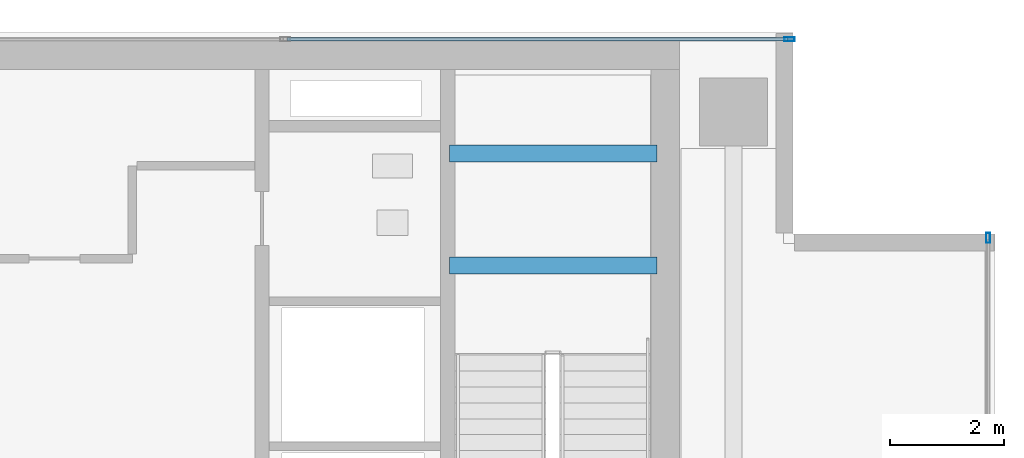
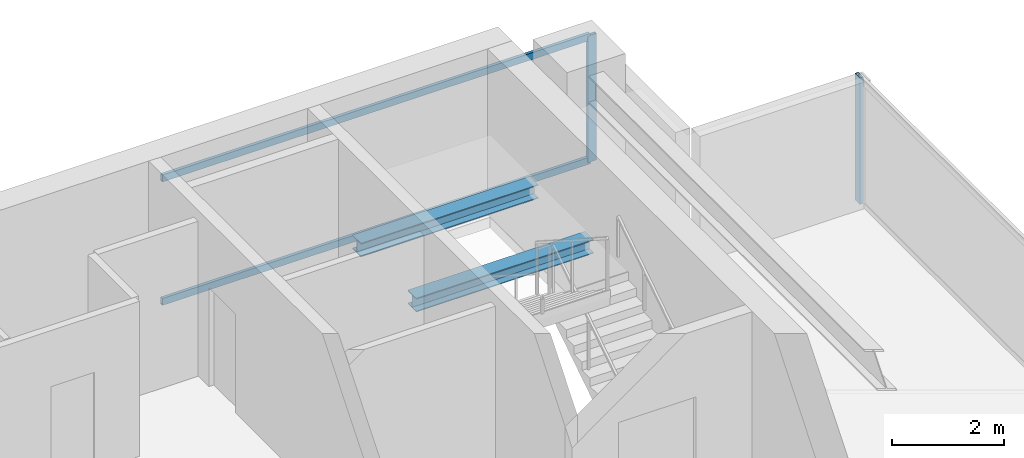
# One storey, part 13 of 20: 4 members, 2 beams, 2 elements without a shape of their own.
"""IFC4 building model written with IfcOpenShell, lengths in metres."""

from ifc_helpers import new_model, si_unit, direction, frame, origin, origin_2d, place, context, subcontext, project, spatial, hollow_rectangle, i_section, extrude, source, transform, mapped, material, layer, layer_set, material_profile, profile_set, type_object, element, aggregate, save


model = new_model("IFC4")

# Units and contexts
model_context = context("Model", 3, precision=1e-05, world=origin(), true_north=direction((0.0, 1.0)))
body_context = subcontext(model_context, "Body", "Model", "MODEL_VIEW")
ifc_project = project(units=[si_unit("LENGTHUNIT", "METRE"), si_unit("AREAUNIT", "SQUARE_METRE"), si_unit("VOLUMEUNIT", "CUBIC_METRE"), si_unit("PLANEANGLEUNIT", "RADIAN"), si_unit("MASSUNIT", "GRAM", prefix="KILO")], contexts=[model_context])

# Site, building, storey
site_placement = place(None, origin())
site = spatial("IfcSite", under=ifc_project, at=site_placement, CompositionType="ELEMENT")
building_placement = place(site_placement, origin())
building = spatial("IfcBuilding", under=site, at=building_placement, Name="Sumidabori Civic Tower", CompositionType="ELEMENT")
storey_placement = place(building_placement, frame((0.0, 0.0, 282.800048828125)))
storey = spatial("IfcBuildingStorey", under=building, at=storey_placement, Name="L74", CompositionType="ELEMENT", Elevation=282.800048828125)

# Beams
ifc_material_1 = material(Name="Steel SN490", Category="steel")
ifc_material_profile_1 = material_profile(ifc_material_1, i_section(OverallWidth=0.300048828125, OverallDepth=0.300048828125, WebThickness=0.010986328125, FlangeThickness=0.01904296875, at=origin_2d()), Name="HE 300 B")
ifc_profile_set_1 = profile_set([ifc_material_profile_1], Name="Steel SN490")
beam_type = type_object("IfcBeamType", Name="BM-LDG-300", PredefinedType="BEAM", material=ifc_profile_set_1)
shared_shape_1 = source(origin(), body_context, "Body", "SweptSolid", [
    extrude(i_section(OverallWidth=0.300048828125, OverallDepth=0.300048828125, WebThickness=0.010986328125, FlangeThickness=0.01904296875, at=origin_2d()), origin(), (0.0, 0.0, 1.0), 3.64990234375),
])
for number, where, z_axis, x_axis, name in (
    (1, (11.800048828125, 20.09765625, 1.449951171875), (1.0, 0.0, 0.0), (0.0, 1.0, 0.0), "Stair ST-2 Landing Support Beam L74-1A"),
    (2, (11.800048828125, 22.069580078125, 1.449951171875), (1.0, 0.0, 0.0), (0.0, 1.0, 0.0), "Stair ST-2 Landing Trimmer Beam L74-1B"),
):
    element("IfcBeam", number, at=place(storey_placement, frame(where, z_axis=z_axis, x_axis=x_axis)), inside=storey, type_object=beam_type, Name=name, PredefinedType="BEAM", context=body_context, shape_type="MappedRepresentation", body=[
        mapped(shared_shape_1, transform((0.0, 0.0, 0.0), x_axis=(1.0, 0.0, 0.0), y_axis=(0.0, 1.0, 0.0), z_axis=(0.0, 0.0, 1.0), scale=1.0)),
    ])

# Curtain wall, member
ifc_material_2 = material(Name="Anodised Bronze Aluminium AW-6063-T6", Category="aluminium")
ifc_layer = layer(ifc_material_2, 0.179931640625, Name="Anodised Bronze Aluminium AW-6063-T6")
ifc_layer_set = layer_set([ifc_layer], Name="Anodised Bronze Aluminium AW-6063-T6")
curtain_wall_type = type_object("IfcCurtainWallType", Name="CW-SYS-6", PredefinedType="NOTDEFINED", material=ifc_layer_set)
curtain_wall_1_placement = place(storey_placement, origin())
curtain_wall_1 = element("IfcCurtainWall", 3, at=curtain_wall_1_placement, inside=storey, type_object=curtain_wall_type, Name="Curtain Wall CW:L74:R04", PredefinedType="NOTDEFINED")
ifc_material_profile_2 = material_profile(ifc_material_2, hollow_rectangle(XDim=0.070068359375, YDim=0.179931640625, WallThickness=0.006103515625, at=origin_2d()), Name="ALU MULLION 180x70")
ifc_profile_set_2 = profile_set([ifc_material_profile_2], Name="Anodised Bronze Aluminium AW-6063-T6")
member_type_1 = type_object("IfcMemberType", Name="CW-MUL-180", PredefinedType="MULLION", material=ifc_profile_set_2)
shared_shape_2 = source(origin(), body_context, "Body", "SweptSolid", [
    extrude(hollow_rectangle(XDim=0.070068359375, YDim=0.179931640625, WallThickness=0.006103515625, at=origin_2d()), origin(), (0.0, 0.0, 1.0), 2.75),
])
member_1_placement = place(storey_placement, frame((21.280029296875, 20.5849609375, 0.0), z_axis=(0.0, 0.0, 1.0), x_axis=(-1.0, 0.0, 0.0)))
member_1 = element("IfcMember", 4, at=member_1_placement, type_object=member_type_1, Name="CW-6 mullion 5", PredefinedType="MULLION", context=body_context, shape_type="MappedRepresentation", body=[
    mapped(shared_shape_2, transform((0.0, 0.0, 0.0), x_axis=(1.0, 0.0, 0.0), y_axis=(0.0, 1.0, 0.0), z_axis=(0.0, 0.0, 1.0), scale=1.0)),
])
aggregate(curtain_wall_1, [member_1])

# Curtain wall, members
curtain_wall_2_placement = place(storey_placement, origin())
curtain_wall_2 = element("IfcCurtainWall", 5, at=curtain_wall_2_placement, inside=storey, type_object=curtain_wall_type, Name="Curtain Wall CW:L74:R07", PredefinedType="NOTDEFINED")
member_2_placement = place(storey_placement, frame((17.784912109375, 24.080078125, 0.0), z_axis=(0.0, 0.0, 1.0), x_axis=(0.0, -1.0, 0.0)))
member_2 = element("IfcMember", 6, at=member_2_placement, type_object=member_type_1, Name="CW-6 mullion 1", PredefinedType="MULLION", context=body_context, shape_type="MappedRepresentation", body=[
    mapped(shared_shape_2, transform((0.0, 0.0, 0.0), x_axis=(1.0, 0.0, 0.0), y_axis=(0.0, 1.0, 0.0), z_axis=(0.0, 0.0, 1.0), scale=1.0)),
])
ifc_material_profile_3 = material_profile(ifc_material_2, hollow_rectangle(XDim=0.06494140625, YDim=0.14990234375, WallThickness=0.0048828125, at=origin_2d()), Name="ALU TRANSOM 150x65")
ifc_profile_set_3 = profile_set([ifc_material_profile_3], Name="Anodised Bronze Aluminium AW-6063-T6")
member_type_2 = type_object("IfcMemberType", Name="CW-TRN-150", PredefinedType="USERDEFINED", material=ifc_profile_set_3)
shared_shape_3 = source(origin(), body_context, "Body", "SweptSolid", [
    extrude(hollow_rectangle(XDim=0.06494140625, YDim=0.14990234375, WallThickness=0.0048828125, at=origin_2d()), origin(), (0.0, 0.0, 1.0), 8.804931640625),
])
member_3_placement = place(storey_placement, frame((17.75, 24.080078125, 0.032470703125), z_axis=(-1.0, 0.0, 0.0), x_axis=(0.0, -1.0, 0.0)))
member_3 = element("IfcMember", 7, at=member_3_placement, type_object=member_type_2, Name="CW-6 transom 1.1", ObjectType="TRANSOM", PredefinedType="USERDEFINED", context=body_context, shape_type="MappedRepresentation", body=[
    mapped(shared_shape_3, transform((0.0, 0.0, 0.0), x_axis=(1.0, 0.0, 0.0), y_axis=(0.0, 1.0, 0.0), z_axis=(0.0, 0.0, 1.0), scale=1.0)),
])
member_4_placement = place(storey_placement, frame((17.75, 24.080078125, 2.717529296875), z_axis=(-1.0, 0.0, 0.0), x_axis=(0.0, -1.0, 0.0)))
member_4 = element("IfcMember", 8, at=member_4_placement, type_object=member_type_2, Name="CW-6 transom 1.2", ObjectType="TRANSOM", PredefinedType="USERDEFINED", context=body_context, shape_type="MappedRepresentation", body=[
    mapped(shared_shape_3, transform((0.0, 0.0, 0.0), x_axis=(1.0, 0.0, 0.0), y_axis=(0.0, 1.0, 0.0), z_axis=(0.0, 0.0, 1.0), scale=1.0)),
])
aggregate(curtain_wall_2, [member_2, member_3, member_4])

save(model, "model.ifc")
